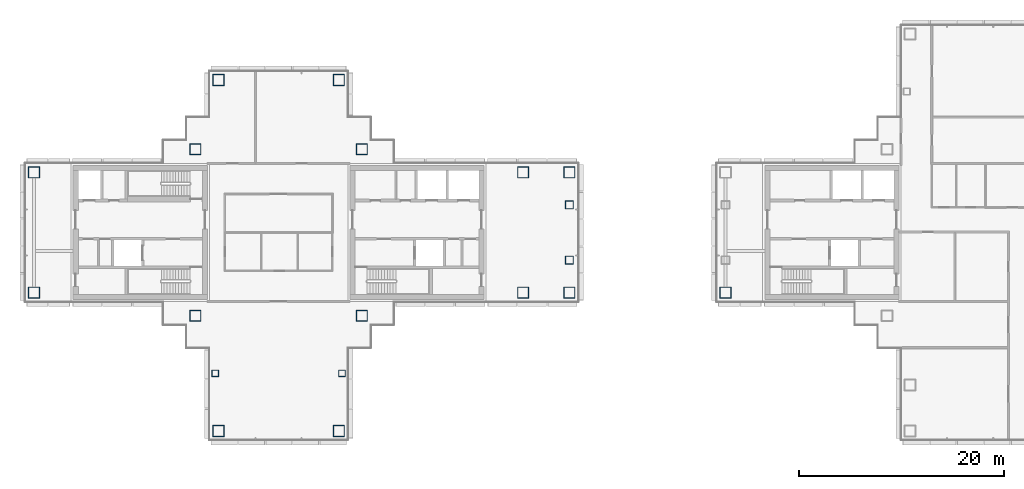
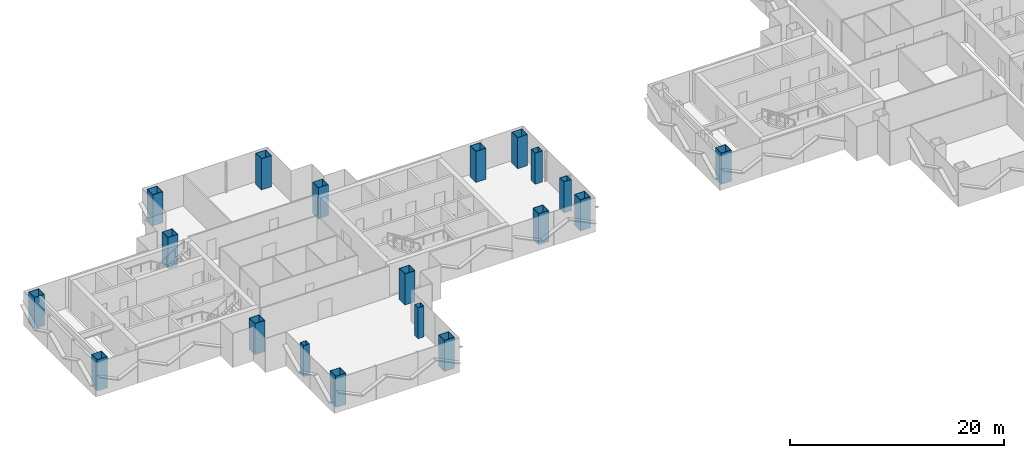
# One storey, part 1 of 16: 19 columns.
"""IFC4 building model written with IfcOpenShell, lengths in metres."""

from ifc_helpers import new_model, si_unit, direction, frame, origin, origin_2d, place, context, subcontext, project, spatial, hollow_rectangle, extrude, material, material_profile, profile_set, type_object, element, save


model = new_model("IFC4")

# Units and contexts
model_context = context("Model", 3, precision=1e-05, world=origin(), true_north=direction((0.0, 1.0)))
body_context = subcontext(model_context, "Body", "Model", "MODEL_VIEW")
ifc_project = project(units=[si_unit("LENGTHUNIT", "METRE"), si_unit("AREAUNIT", "SQUARE_METRE"), si_unit("VOLUMEUNIT", "CUBIC_METRE"), si_unit("PLANEANGLEUNIT", "RADIAN"), si_unit("MASSUNIT", "GRAM", prefix="KILO")], contexts=[model_context])

# Site, building, storey
site_placement = place(None, origin())
site = spatial("IfcSite", under=ifc_project, at=site_placement, CompositionType="ELEMENT")
building_placement = place(site_placement, origin())
building = spatial("IfcBuilding", under=site, at=building_placement, Name="Shamsa Quay Exchange Towers", CompositionType="ELEMENT")
storey_placement = place(building_placement, frame((0.0, 0.0, 162.300048828125)))
storey = spatial("IfcBuildingStorey", under=building, at=storey_placement, Name="L38", CompositionType="ELEMENT", Elevation=162.300048828125)

# Columns
ifc_material_1 = material(Name="Concrete-filled steel tube S355 / C80/95", Category="concrete")
ifc_material_profile_1 = material_profile(ifc_material_1, hollow_rectangle(XDim=1.10009765625, YDim=1.10009765625, WallThickness=0.0400390625, at=origin_2d()), Name="CFT 1100x1100x40")
ifc_profile_set_1 = profile_set([ifc_material_profile_1], Name="Concrete-filled steel tube S355 / C80/95")
column_type_1 = type_object("IfcColumnType", Name="Column CFT 1100x1100x40", PredefinedType="COLUMN", material=ifc_profile_set_1)
for number, where, name in (
    (1, (-25.625, 8.125, 0.0), "Mega column T1-CM01"),
    (2, (-25.625, -8.125, 0.0), "Mega column T1-CM02"),
    (3, (-41.875, 8.125, 0.0), "Mega column T1-CM03"),
    (4, (-41.875, -8.125, 0.0), "Mega column T1-CM04"),
    (5, (-9.875, -5.875, 0.0), "Mega column T1-CM05"),
    (6, (-5.375, -5.875, 0.0), "Mega column T1-CM06"),
    (7, (-9.875, 5.875, 0.0), "Mega column T1-CM07"),
    (8, (-5.375, 5.875, 0.0), "Mega column T1-CM08"),
    (9, (-57.625, -5.875, 0.0), "Mega column T1-CM09"),
    (10, (-57.625, 5.875, 0.0), "Mega column T1-CM11"),
    (11, (-39.625, 14.875, 0.0), "Mega column T1-CM13"),
    (12, (-27.875, 14.875, 0.0), "Mega column T1-CM16"),
    (13, (-39.625, -19.375, 0.0), "Mega column T1-CM20"),
    (14, (-27.875, -19.375, 0.0), "Mega column T1-CM23"),
    (15, (9.875, -5.875, 0.0), "Mega column T2-CM19"),
):
    element("IfcColumn", number, at=place(storey_placement, frame(where)), inside=storey, type_object=column_type_1, Name=name, PredefinedType="COLUMN", context=body_context, shape_type="SweptSolid", body=[
        extrude(hollow_rectangle(XDim=1.10009765625, YDim=1.10009765625, WallThickness=0.0400390625, at=origin_2d()), origin(), (0.0, 0.0, 1.0), 3.550048828125),
    ])
ifc_material_2 = material(Name="Concrete-filled steel tube S355 / C60/75", Category="concrete")
ifc_material_profile_2 = material_profile(ifc_material_2, hollow_rectangle(XDim=0.64990234375, YDim=0.64990234375, WallThickness=0.02001953125, at=origin_2d()), Name="CFT 650x650x20")
ifc_profile_set_2 = profile_set([ifc_material_profile_2], Name="Concrete-filled steel tube S355 / C60/75")
column_type_2 = type_object("IfcColumnType", Name="Column CFT 650x650x20", PredefinedType="COLUMN", material=ifc_profile_set_2)
for number, where, name in (
    (16, (-39.9375, -13.75, 0.0), "Perimeter column T1-CP19"),
    (17, (-27.5625, -13.75, 0.0), "Perimeter column T1-CP22"),
):
    element("IfcColumn", number, at=place(storey_placement, frame(where)), inside=storey, type_object=column_type_2, Name=name, PredefinedType="COLUMN", context=body_context, shape_type="SweptSolid", body=[
        extrude(hollow_rectangle(XDim=0.64990234375, YDim=0.64990234375, WallThickness=0.02001953125, at=origin_2d()), origin(), (0.0, 0.0, 1.0), 3.550048828125),
    ])
ifc_material_3 = material(Name="Concrete-filled steel tube S355 / C70/85", Category="concrete")
ifc_material_profile_3 = material_profile(ifc_material_3, hollow_rectangle(XDim=0.800048828125, YDim=0.800048828125, WallThickness=0.030029296875, at=origin_2d()), Name="CFT 800x800x30")
ifc_profile_set_3 = profile_set([ifc_material_profile_3], Name="Concrete-filled steel tube S355 / C70/85")
column_type_3 = type_object("IfcColumnType", Name="Landing column CFT 800x800x30", PredefinedType="COLUMN", material=ifc_profile_set_3)
for number, where, name in (
    (18, (-5.375, -2.699951171875, 0.0), "Landing column T1 S"),
    (19, (-5.375, 2.699951171875, 0.0), "Landing column T1 N"),
):
    element("IfcColumn", number, at=place(storey_placement, frame(where)), inside=storey, type_object=column_type_3, Name=name, PredefinedType="COLUMN", context=body_context, shape_type="SweptSolid", body=[
        extrude(hollow_rectangle(XDim=0.800048828125, YDim=0.800048828125, WallThickness=0.030029296875, at=origin_2d()), origin(), (0.0, 0.0, 1.0), 3.550048828125),
    ])

save(model, "model.ifc")
